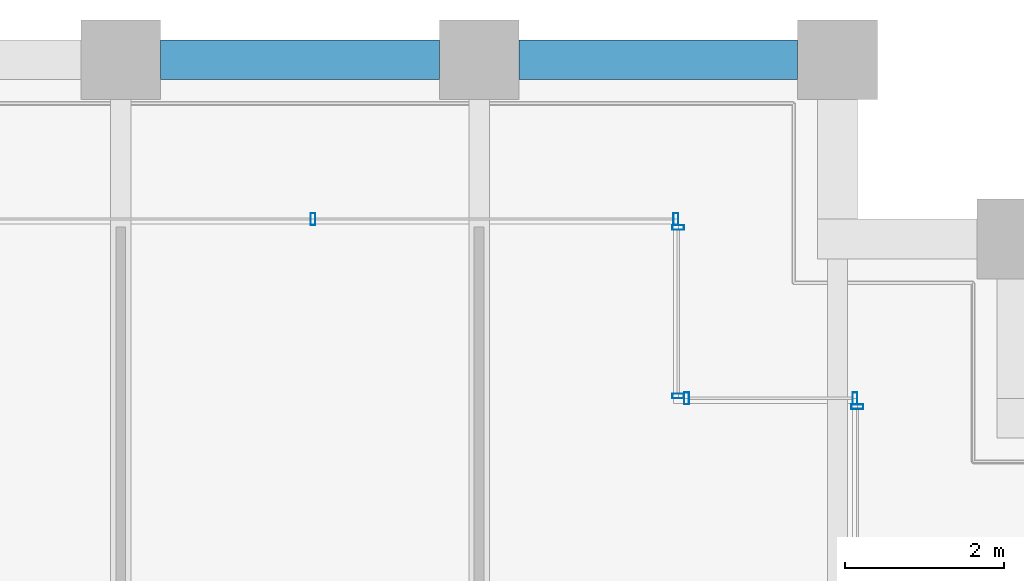
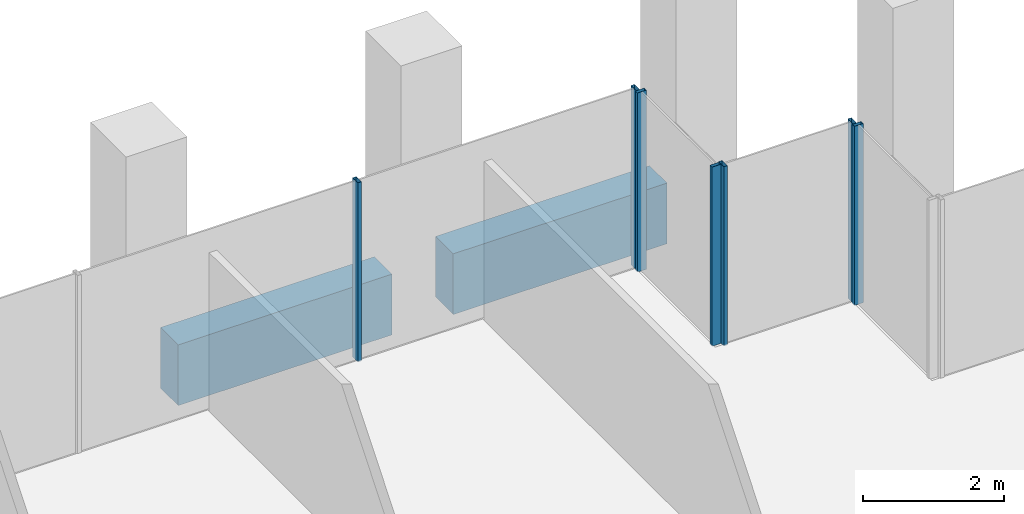
# One storey, part 26 of 46: 7 members, 2 beams, 4 elements without a shape of their own.
"""IFC4 building model written with IfcOpenShell, lengths in metres."""

from ifc_helpers import new_model, si_unit, direction, frame, origin, origin_2d, place, context, subcontext, project, spatial, rectangle, hollow_rectangle, extrude, material, material_profile, profile_set, type_object, element, aggregate, save


model = new_model("IFC4")

# Units and contexts
model_context = context("Model", 3, precision=1e-05, world=origin(), true_north=direction((0.0, 1.0)))
body_context = subcontext(model_context, "Body", "Model", "MODEL_VIEW")
ifc_project = project(units=[si_unit("LENGTHUNIT", "METRE"), si_unit("AREAUNIT", "SQUARE_METRE"), si_unit("VOLUMEUNIT", "CUBIC_METRE"), si_unit("PLANEANGLEUNIT", "RADIAN"), si_unit("MASSUNIT", "GRAM", prefix="KILO")], contexts=[model_context])

# Site, building, storey
site_placement = place(None, origin())
site = spatial("IfcSite", under=ifc_project, at=site_placement, CompositionType="ELEMENT")
building_placement = place(site_placement, origin())
building = spatial("IfcBuilding", under=site, at=building_placement, Name="Altepetl Exchange Towers", CompositionType="ELEMENT")
storey_placement = place(building_placement, frame((0.0, 0.0, 120.800048828125)))
storey = spatial("IfcBuildingStorey", under=building, at=storey_placement, Name="L29", CompositionType="ELEMENT", Elevation=120.800048828125)

# Curtain wall, member
ifc_material_1 = material(Name="Aluminium 6063-T6 glazing", Category="aluminium")
curtain_wall_type = type_object("IfcCurtainWallType", Name="Loggia glazing system", PredefinedType="NOTDEFINED", material=ifc_material_1)
curtain_wall_1_placement = place(storey_placement, origin())
curtain_wall_1 = element("IfcCurtainWall", 1, at=curtain_wall_1_placement, inside=storey, type_object=curtain_wall_type, Name="CW1 run", PredefinedType="NOTDEFINED")
ifc_material_2 = material(Name="Aluminium 6063-T6", Category="aluminium")
ifc_material_profile_1 = material_profile(ifc_material_2, hollow_rectangle(XDim=0.06005859375, YDim=0.14990234375, WallThickness=0.0029296875, at=origin_2d()), Name="Mullion 60x150 aluminium")
ifc_profile_set_1 = profile_set([ifc_material_profile_1], Name="Aluminium 6063-T6")
member_type = type_object("IfcMemberType", Name="Mullion 60x150 aluminium", PredefinedType="MULLION", material=ifc_profile_set_1)
member_1_placement = place(storey_placement, frame((67.75, 67.64501953125, 0.0), z_axis=(0.0, 0.0, 1.0), x_axis=(0.0, 1.0, 0.0)))
member_1 = element("IfcMember", 2, at=member_1_placement, type_object=member_type, Name="MU1 mullion", PredefinedType="MULLION", context=body_context, shape_type="SweptSolid", body=[
    extrude(hollow_rectangle(XDim=0.06005859375, YDim=0.14990234375, WallThickness=0.0029296875, at=origin_2d()), origin(), (0.0, 0.0, 1.0), 3.099853515625),
])
aggregate(curtain_wall_1, [member_1])

# Curtain wall, members
curtain_wall_2_placement = place(storey_placement, origin())
curtain_wall_2 = element("IfcCurtainWall", 3, at=curtain_wall_2_placement, inside=storey, type_object=curtain_wall_type, Name="CW1 run", PredefinedType="NOTDEFINED")
member_2_placement = place(storey_placement, frame((67.719970703125, 67.75, 0.0), z_axis=(0.0, 0.0, 1.0), x_axis=(-1.0, 0.0, 0.0)))
member_2 = element("IfcMember", 4, at=member_2_placement, type_object=member_type, Name="MU1 mullion", PredefinedType="MULLION", context=body_context, shape_type="SweptSolid", body=[
    extrude(hollow_rectangle(XDim=0.06005859375, YDim=0.14990234375, WallThickness=0.0029296875, at=origin_2d()), origin(), (0.0, 0.0, 1.0), 3.099853515625),
])
member_3_placement = place(storey_placement, frame((65.60498046875, 67.75, 0.0), z_axis=(0.0, 0.0, 1.0), x_axis=(-1.0, 0.0, 0.0)))
member_3 = element("IfcMember", 5, at=member_3_placement, type_object=member_type, Name="MU1 mullion", PredefinedType="MULLION", context=body_context, shape_type="SweptSolid", body=[
    extrude(hollow_rectangle(XDim=0.06005859375, YDim=0.14990234375, WallThickness=0.0029296875, at=origin_2d()), origin(), (0.0, 0.0, 1.0), 3.099853515625),
])
aggregate(curtain_wall_2, [member_2, member_3])

curtain_wall_3_placement = place(storey_placement, origin())
curtain_wall_3 = element("IfcCurtainWall", 6, at=curtain_wall_3_placement, inside=storey, type_object=curtain_wall_type, Name="CW1 run", PredefinedType="NOTDEFINED")
member_4_placement = place(storey_placement, frame((65.5, 67.780029296875, 0.0), z_axis=(0.0, 0.0, 1.0), x_axis=(0.0, 1.0, 0.0)))
member_4 = element("IfcMember", 7, at=member_4_placement, type_object=member_type, Name="MU1 mullion", PredefinedType="MULLION", context=body_context, shape_type="SweptSolid", body=[
    extrude(hollow_rectangle(XDim=0.06005859375, YDim=0.14990234375, WallThickness=0.0029296875, at=origin_2d()), origin(), (0.0, 0.0, 1.0), 3.099853515625),
])
member_5_placement = place(storey_placement, frame((65.5, 69.89501953125, 0.0), z_axis=(0.0, 0.0, 1.0), x_axis=(0.0, 1.0, 0.0)))
member_5 = element("IfcMember", 8, at=member_5_placement, type_object=member_type, Name="MU1 mullion", PredefinedType="MULLION", context=body_context, shape_type="SweptSolid", body=[
    extrude(hollow_rectangle(XDim=0.06005859375, YDim=0.14990234375, WallThickness=0.0029296875, at=origin_2d()), origin(), (0.0, 0.0, 1.0), 3.099853515625),
])
aggregate(curtain_wall_3, [member_4, member_5])

curtain_wall_4_placement = place(storey_placement, origin())
curtain_wall_4 = element("IfcCurtainWall", 9, at=curtain_wall_4_placement, inside=storey, type_object=curtain_wall_type, Name="CW1 run", PredefinedType="NOTDEFINED")
member_6_placement = place(storey_placement, frame((65.469970703125, 70.0, 0.0), z_axis=(0.0, 0.0, 1.0), x_axis=(-1.0, 0.0, 0.0)))
member_6 = element("IfcMember", 10, at=member_6_placement, type_object=member_type, Name="MU1 mullion", PredefinedType="MULLION", context=body_context, shape_type="SweptSolid", body=[
    extrude(hollow_rectangle(XDim=0.06005859375, YDim=0.14990234375, WallThickness=0.0029296875, at=origin_2d()), origin(), (0.0, 0.0, 1.0), 3.099853515625),
])
member_7_placement = place(storey_placement, frame((60.9150390625, 70.0, 0.0), z_axis=(0.0, 0.0, 1.0), x_axis=(-1.0, 0.0, 0.0)))
member_7 = element("IfcMember", 11, at=member_7_placement, type_object=member_type, Name="MU1 mullion", PredefinedType="MULLION", context=body_context, shape_type="SweptSolid", body=[
    extrude(hollow_rectangle(XDim=0.06005859375, YDim=0.14990234375, WallThickness=0.0029296875, at=origin_2d()), origin(), (0.0, 0.0, 1.0), 3.099853515625),
])
aggregate(curtain_wall_4, [member_6, member_7])

# Beams
ifc_material_3 = material(Name="Concrete C50/60 precast with cantera rosa facing", Category="concrete")
ifc_material_profile_2 = material_profile(ifc_material_3, rectangle(XDim=0.5, YDim=1.050048828125, at=origin_2d()), Name="500 x 1050")
ifc_profile_set_2 = profile_set([ifc_material_profile_2], Name="Concrete C50/60 precast with cantera rosa facing")
beam_type = type_object("IfcBeamType", Name="Spandrel beam 500x1050 cantera rosa", PredefinedType="SPANDREL", material=ifc_profile_set_2)
for number, where, z_axis, x_axis, name in (
    (12, (67.0, 72.0, -0.675048828125), (-1.0, 0.0, 0.0), (0.0, -1.0, 0.0), "sp:A:L29:024"),
    (13, (62.5, 72.0, -0.675048828125), (-1.0, 0.0, 0.0), (0.0, -1.0, 0.0), "sp:A:L29:025"),
):
    element("IfcBeam", number, at=place(storey_placement, frame(where, z_axis=z_axis, x_axis=x_axis)), inside=storey, type_object=beam_type, Name=name, PredefinedType="SPANDREL", context=body_context, shape_type="SweptSolid", body=[
        extrude(rectangle(XDim=0.5, YDim=1.050048828125, at=origin_2d()), origin(), (0.0, 0.0, 1.0), 3.5),
    ])

save(model, "model.ifc")
